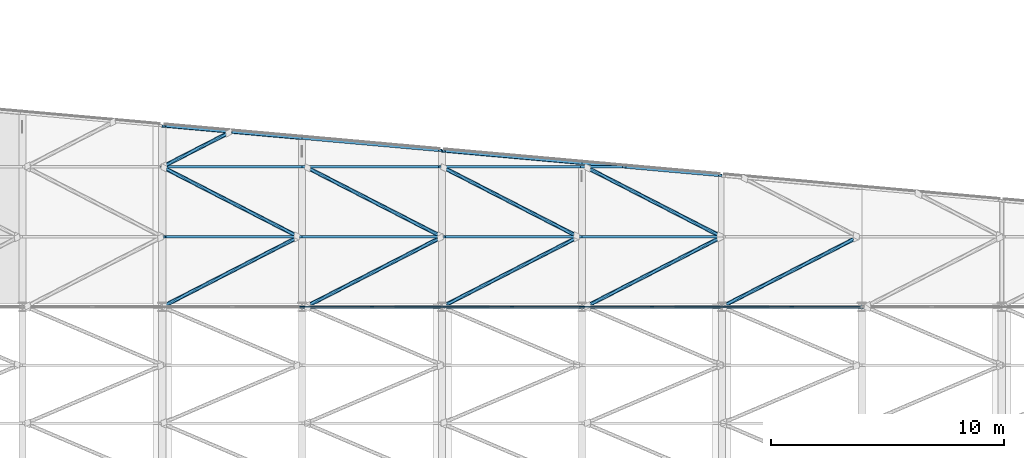
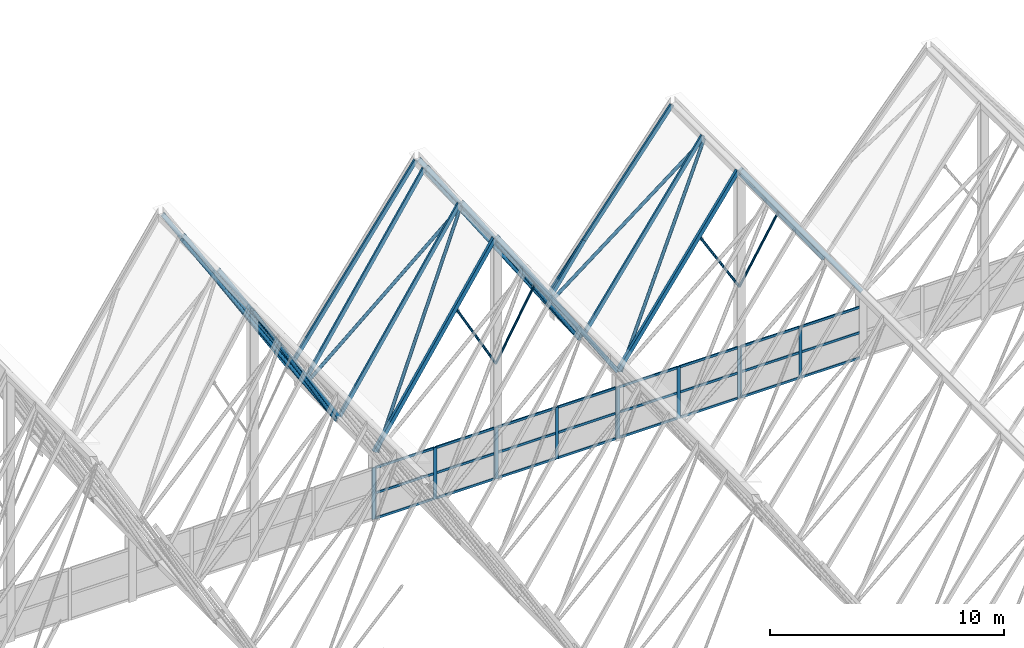
# One storey, part 23 of 483: 58 members, 8 beams, 5 elements without a shape of their own.
"""IFC4 building model written with IfcOpenShell, lengths in metres."""

from ifc_helpers import new_model, si_unit, direction, frame, origin, origin_2d, place, context, subcontext, project, spatial, rectangle, hollow_rectangle, hollow_circle, extrude, material, material_profile, profile_set, type_object, element, aggregate, save


model = new_model("IFC4")

# Units and contexts
model_context = context("Model", 3, precision=1e-05, world=origin(), true_north=direction((0.0, 1.0)))
body_context = subcontext(model_context, "Body", "Model", "MODEL_VIEW")
ifc_project = project(units=[si_unit("LENGTHUNIT", "METRE"), si_unit("AREAUNIT", "SQUARE_METRE"), si_unit("VOLUMEUNIT", "CUBIC_METRE"), si_unit("PLANEANGLEUNIT", "RADIAN"), si_unit("MASSUNIT", "GRAM", prefix="KILO")], contexts=[model_context])

# Site, building, storey
site_placement = place(None, origin())
site = spatial("IfcSite", under=ifc_project, at=site_placement, CompositionType="ELEMENT")
building_placement = place(site_placement, origin())
building = spatial("IfcBuilding", under=site, at=building_placement, Name="Parallax Yard Mobility Hub", CompositionType="ELEMENT")
storey_placement = place(building_placement, frame((0.0, 0.0, 13.199951171875)))
storey = spatial("IfcBuildingStorey", under=building, at=storey_placement, Name="L04", CompositionType="ELEMENT", Elevation=13.199951171875)

# Members
ifc_material_1 = material(Name="Steel ASTM A500 Gr C", Category="steel")
ifc_material_profile_1 = material_profile(ifc_material_1, hollow_circle(Radius=0.05712890625, WallThickness=0.006103515625, at=origin_2d()), Name="HSS114.3x6.0")
ifc_profile_set_1 = profile_set([ifc_material_profile_1], Name="Steel ASTM A500 Gr C")
member_type_1 = type_object("IfcMemberType", Name="Knee brace HSS114.3x6.0", PredefinedType="BRACE", material=ifc_profile_set_1)
for number, where, z_axis, x_axis, name in (
    (1, (51.0, 52.5, 6.0), (-0.484527681527, 0.0, 0.874775928929), (0.0, -1.0, 0.0), "Gable knee brace F8 north west"),
    (2, (51.0, 52.5, 6.0), (0.484527681527, 0.0, 0.874775928929), (0.0, 1.0, 0.0), "Gable knee brace F8 north east"),
):
    element("IfcMember", number, at=place(storey_placement, frame(where, z_axis=z_axis, x_axis=x_axis)), inside=storey, type_object=member_type_1, Name=name, PredefinedType="BRACE", context=body_context, shape_type="SweptSolid", body=[
        extrude(hollow_circle(Radius=0.05712890625, WallThickness=0.006103515625, at=origin_2d()), origin(), (0.0, 0.0, 1.0), 4.127685546875),
    ])
for number, where, z_axis, x_axis, name in (
    (3, (63.0, 52.5, 5.800048828125), (-0.511362041341, 0.0, 0.859365383685), (0.0, -1.0, 0.0), "Gable knee brace F10 north west"),
    (4, (63.0, 52.5, 5.800048828125), (0.511362041341, 0.0, 0.859365383685), (0.0, 1.0, 0.0), "Gable knee brace F10 north east"),
):
    element("IfcMember", number, at=place(storey_placement, frame(where, z_axis=z_axis, x_axis=x_axis)), inside=storey, type_object=member_type_1, Name=name, PredefinedType="BRACE", context=body_context, shape_type="SweptSolid", body=[
        extrude(hollow_circle(Radius=0.05712890625, WallThickness=0.006103515625, at=origin_2d()), origin(), (0.0, 0.0, 1.0), 3.9111328125),
    ])

# Curtain wall, member
ifc_material_2 = material(Name="Thermally broken aluminium curtain wall system", Category="aluminium")
curtain_wall_type = type_object("IfcCurtainWallType", Name="Curtain wall run 60 x 160 frame", PredefinedType="NOTDEFINED", material=ifc_material_2)
curtain_wall_1_placement = place(storey_placement, origin())
curtain_wall_1 = element("IfcCurtainWall", 5, at=curtain_wall_1_placement, inside=storey, type_object=curtain_wall_type, Name="Glazed gable end Bus and taxi deck north gable bay 6 level L04", PredefinedType="NOTDEFINED")
ifc_material_3 = material(Name="Extruded aluminium", Category="aluminium")
ifc_material_profile_2 = material_profile(ifc_material_3, rectangle(XDim=0.06005859375, YDim=0.159912109375, at=origin_2d()), Name="Mullion 60 x 160")
ifc_profile_set_2 = profile_set([ifc_material_profile_2], Name="Extruded aluminium")
member_type_2 = type_object("IfcMemberType", Name="Mullion 60 x 160", PredefinedType="MULLION", material=ifc_profile_set_2)
member_1_placement = place(storey_placement, frame((44.969970703125, 52.5, 0.0), z_axis=(0.0, 0.0, 1.0), x_axis=(0.0, 1.0, 0.0)))
member_1 = element("IfcMember", 6, at=member_1_placement, type_object=member_type_2, Name="CW1 mullion 3", PredefinedType="MULLION", context=body_context, shape_type="SweptSolid", body=[
    extrude(rectangle(XDim=0.06005859375, YDim=0.159912109375, at=origin_2d()), origin(), (0.0, 0.0, 1.0), 2.68994140625),
])
aggregate(curtain_wall_1, [member_1])

# Curtain wall, members
curtain_wall_2_placement = place(storey_placement, origin())
curtain_wall_2 = element("IfcCurtainWall", 7, at=curtain_wall_2_placement, inside=storey, type_object=curtain_wall_type, Name="Glazed gable end Bus and taxi deck north gable bay 7 level L04", PredefinedType="NOTDEFINED")
member_2_placement = place(storey_placement, frame((45.030029296875, 52.5, 0.0), z_axis=(0.0, 0.0, 1.0), x_axis=(0.0, 1.0, 0.0)))
member_2 = element("IfcMember", 8, at=member_2_placement, type_object=member_type_2, Name="CW1 mullion 1", PredefinedType="MULLION", context=body_context, shape_type="SweptSolid", body=[
    extrude(rectangle(XDim=0.06005859375, YDim=0.159912109375, at=origin_2d()), origin(), (0.0, 0.0, 1.0), 2.68994140625),
])
member_3_placement = place(storey_placement, frame((48.0, 52.5, 0.0), z_axis=(0.0, 0.0, 1.0), x_axis=(0.0, 1.0, 0.0)))
member_3 = element("IfcMember", 9, at=member_3_placement, type_object=member_type_2, Name="CW1 mullion 2", PredefinedType="MULLION", context=body_context, shape_type="SweptSolid", body=[
    extrude(rectangle(XDim=0.06005859375, YDim=0.159912109375, at=origin_2d()), origin(), (0.0, 0.0, 1.0), 2.68994140625),
])
member_4_placement = place(storey_placement, frame((50.969970703125, 52.5, 0.0), z_axis=(0.0, 0.0, 1.0), x_axis=(0.0, 1.0, 0.0)))
member_4 = element("IfcMember", 10, at=member_4_placement, type_object=member_type_2, Name="CW1 mullion 3", PredefinedType="MULLION", context=body_context, shape_type="SweptSolid", body=[
    extrude(rectangle(XDim=0.06005859375, YDim=0.159912109375, at=origin_2d()), origin(), (0.0, 0.0, 1.0), 2.68994140625),
])

curtain_wall_3_placement = place(storey_placement, origin())
curtain_wall_3 = element("IfcCurtainWall", 11, at=curtain_wall_3_placement, inside=storey, type_object=curtain_wall_type, Name="Glazed gable end Bus and taxi deck north gable bay 8 level L04", PredefinedType="NOTDEFINED")
member_5_placement = place(storey_placement, frame((51.030029296875, 52.5, 0.0), z_axis=(0.0, 0.0, 1.0), x_axis=(0.0, 1.0, 0.0)))
member_5 = element("IfcMember", 12, at=member_5_placement, type_object=member_type_2, Name="CW1 mullion 1", PredefinedType="MULLION", context=body_context, shape_type="SweptSolid", body=[
    extrude(rectangle(XDim=0.06005859375, YDim=0.159912109375, at=origin_2d()), origin(), (0.0, 0.0, 1.0), 2.68994140625),
])
member_6_placement = place(storey_placement, frame((54.0, 52.5, 0.0), z_axis=(0.0, 0.0, 1.0), x_axis=(0.0, 1.0, 0.0)))
member_6 = element("IfcMember", 13, at=member_6_placement, type_object=member_type_2, Name="CW1 mullion 2", PredefinedType="MULLION", context=body_context, shape_type="SweptSolid", body=[
    extrude(rectangle(XDim=0.06005859375, YDim=0.159912109375, at=origin_2d()), origin(), (0.0, 0.0, 1.0), 2.68994140625),
])
member_7_placement = place(storey_placement, frame((56.969970703125, 52.5, 0.0), z_axis=(0.0, 0.0, 1.0), x_axis=(0.0, 1.0, 0.0)))
member_7 = element("IfcMember", 14, at=member_7_placement, type_object=member_type_2, Name="CW1 mullion 3", PredefinedType="MULLION", context=body_context, shape_type="SweptSolid", body=[
    extrude(rectangle(XDim=0.06005859375, YDim=0.159912109375, at=origin_2d()), origin(), (0.0, 0.0, 1.0), 2.68994140625),
])

curtain_wall_4_placement = place(storey_placement, origin())
curtain_wall_4 = element("IfcCurtainWall", 15, at=curtain_wall_4_placement, inside=storey, type_object=curtain_wall_type, Name="Glazed gable end Bus and taxi deck north gable bay 9 level L04", PredefinedType="NOTDEFINED")
member_8_placement = place(storey_placement, frame((57.030029296875, 52.5, 0.0), z_axis=(0.0, 0.0, 1.0), x_axis=(0.0, 1.0, 0.0)))
member_8 = element("IfcMember", 16, at=member_8_placement, type_object=member_type_2, Name="CW1 mullion 1", PredefinedType="MULLION", context=body_context, shape_type="SweptSolid", body=[
    extrude(rectangle(XDim=0.06005859375, YDim=0.159912109375, at=origin_2d()), origin(), (0.0, 0.0, 1.0), 2.68994140625),
])
member_9_placement = place(storey_placement, frame((60.0, 52.5, 0.0), z_axis=(0.0, 0.0, 1.0), x_axis=(0.0, 1.0, 0.0)))
member_9 = element("IfcMember", 17, at=member_9_placement, type_object=member_type_2, Name="CW1 mullion 2", PredefinedType="MULLION", context=body_context, shape_type="SweptSolid", body=[
    extrude(rectangle(XDim=0.06005859375, YDim=0.159912109375, at=origin_2d()), origin(), (0.0, 0.0, 1.0), 2.68994140625),
])
member_10_placement = place(storey_placement, frame((62.969970703125, 52.5, 0.0), z_axis=(0.0, 0.0, 1.0), x_axis=(0.0, 1.0, 0.0)))
member_10 = element("IfcMember", 18, at=member_10_placement, type_object=member_type_2, Name="CW1 mullion 3", PredefinedType="MULLION", context=body_context, shape_type="SweptSolid", body=[
    extrude(rectangle(XDim=0.06005859375, YDim=0.159912109375, at=origin_2d()), origin(), (0.0, 0.0, 1.0), 2.68994140625),
])

curtain_wall_5_placement = place(storey_placement, origin())
curtain_wall_5 = element("IfcCurtainWall", 19, at=curtain_wall_5_placement, inside=storey, type_object=curtain_wall_type, Name="Glazed gable end Bus and taxi deck north gable bay 10 level L04", PredefinedType="NOTDEFINED")
member_11_placement = place(storey_placement, frame((63.030029296875, 52.5, 0.0), z_axis=(0.0, 0.0, 1.0), x_axis=(0.0, 1.0, 0.0)))
member_11 = element("IfcMember", 20, at=member_11_placement, type_object=member_type_2, Name="CW1 mullion 1", PredefinedType="MULLION", context=body_context, shape_type="SweptSolid", body=[
    extrude(rectangle(XDim=0.06005859375, YDim=0.159912109375, at=origin_2d()), origin(), (0.0, 0.0, 1.0), 2.68994140625),
])
member_12_placement = place(storey_placement, frame((66.0, 52.5, 0.0), z_axis=(0.0, 0.0, 1.0), x_axis=(0.0, 1.0, 0.0)))
member_12 = element("IfcMember", 21, at=member_12_placement, type_object=member_type_2, Name="CW1 mullion 2", PredefinedType="MULLION", context=body_context, shape_type="SweptSolid", body=[
    extrude(rectangle(XDim=0.06005859375, YDim=0.159912109375, at=origin_2d()), origin(), (0.0, 0.0, 1.0), 2.68994140625),
])

# Members
ifc_material_profile_3 = material_profile(ifc_material_1, hollow_circle(Radius=0.084228515625, WallThickness=0.007080078125, at=origin_2d()), Name="HSS168.3x7.1")
ifc_profile_set_3 = profile_set([ifc_material_profile_3], Name="Steel ASTM A500 Gr C")
member_type_3 = type_object("IfcMemberType", Name="Plate diagonal HSS168.3x7.1", PredefinedType="BRACE", material=ifc_profile_set_3)
member_13_placement = place(storey_placement, frame((63.0, 52.5, 11.6982421875), z_axis=(0.552869408037, 0.283636409734, -0.783508650067), x_axis=(-0.456461439155, 0.889743195852, 0.0)))
element("IfcMember", 22, at=member_13_placement, inside=storey, type_object=member_type_3, Name="Plate diagonal plate F10-F11 bay 19", PredefinedType="BRACE", context=body_context, shape_type="SweptSolid", body=[
    extrude(hollow_circle(Radius=0.084228515625, WallThickness=0.007080078125, at=origin_2d()), origin(), (0.0, 0.0, 1.0), 10.576904296875),
])
member_14_placement = place(storey_placement, frame((39.0, 52.5, 13.01513671875), z_axis=(0.502552436924, 0.25782249269, -0.825208222454), x_axis=(-0.456461439155, 0.889743195852, 0.0)))
element("IfcMember", 23, at=member_14_placement, inside=storey, type_object=member_type_3, Name="Plate diagonal plate F6-F7 bay 19", PredefinedType="BRACE", context=body_context, shape_type="SweptSolid", body=[
    extrude(hollow_circle(Radius=0.084228515625, WallThickness=0.007080078125, at=origin_2d()), origin(), (0.0, 0.0, 1.0), 11.635986328125),
])
for number, where, z_axis, x_axis, name in (
    (24, (45.15234375, 52.5, 3.412353515625), (0.526835983295, 0.270280584616, 0.805848777554), (-0.456461439155, 0.889743195852, 0.0), "Plate diagonal plate F7-F8 bay 19"),
    (25, (51.0, 52.5, 12.35693359375), (0.526835983295, 0.270280584616, -0.805848777554), (-0.456461439155, 0.889743195852, 0.0), "Plate diagonal plate F8-F9 bay 19"),
):
    element("IfcMember", number, at=place(storey_placement, frame(where, z_axis=z_axis, x_axis=x_axis)), inside=storey, type_object=member_type_3, Name=name, PredefinedType="BRACE", context=body_context, shape_type="SweptSolid", body=[
        extrude(hollow_circle(Radius=0.084228515625, WallThickness=0.007080078125, at=origin_2d()), origin(), (0.0, 0.0, 1.0), 11.099609375),
    ])
member_15_placement = place(storey_placement, frame((57.15234375, 52.5, 3.4111328125), z_axis=(0.552869408037, 0.283636409734, 0.783508650067), x_axis=(-0.456461439155, 0.889743195852, 0.0)))
element("IfcMember", 26, at=member_15_placement, inside=storey, type_object=member_type_3, Name="Plate diagonal plate F9-F10 bay 19", PredefinedType="BRACE", context=body_context, shape_type="SweptSolid", body=[
    extrude(hollow_circle(Radius=0.084228515625, WallThickness=0.007080078125, at=origin_2d()), origin(), (0.0, 0.0, 1.0), 10.576904296875),
])
member_16_placement = place(storey_placement, frame((44.84765625, 55.5, 3.4130859375), z_axis=(-0.502552436924, 0.25782249269, 0.825208222454), x_axis=(-0.456461439155, -0.889743195852, 0.0)))
element("IfcMember", 27, at=member_16_placement, inside=storey, type_object=member_type_3, Name="Plate diagonal plate F6-F7 bay 20", PredefinedType="BRACE", context=body_context, shape_type="SweptSolid", body=[
    extrude(hollow_circle(Radius=0.084228515625, WallThickness=0.007080078125, at=origin_2d()), origin(), (0.0, 0.0, 1.0), 11.635986328125),
])
for number, where, z_axis, x_axis, name in (
    (28, (51.0, 55.5, 12.35693359375), (-0.526835983295, 0.270280584616, -0.805848777554), (-0.456461439155, -0.889743195852, 0.0), "Plate diagonal plate F7-F8 bay 20"),
    (29, (56.84765625, 55.5, 3.412353515625), (-0.526835983295, 0.270280584616, 0.805848777554), (-0.456461439155, -0.889743195852, 0.0), "Plate diagonal plate F8-F9 bay 20"),
):
    element("IfcMember", number, at=place(storey_placement, frame(where, z_axis=z_axis, x_axis=x_axis)), inside=storey, type_object=member_type_3, Name=name, PredefinedType="BRACE", context=body_context, shape_type="SweptSolid", body=[
        extrude(hollow_circle(Radius=0.084228515625, WallThickness=0.007080078125, at=origin_2d()), origin(), (0.0, 0.0, 1.0), 11.099609375),
    ])
member_17_placement = place(storey_placement, frame((63.0, 55.5, 11.6982421875), z_axis=(-0.552869408037, 0.283636409734, -0.783508650067), x_axis=(-0.456461439155, -0.889743195852, 0.0)))
element("IfcMember", 30, at=member_17_placement, inside=storey, type_object=member_type_3, Name="Plate diagonal plate F9-F10 bay 20", PredefinedType="BRACE", context=body_context, shape_type="SweptSolid", body=[
    extrude(hollow_circle(Radius=0.084228515625, WallThickness=0.007080078125, at=origin_2d()), origin(), (0.0, 0.0, 1.0), 10.576904296875),
])
member_18_placement = place(storey_placement, frame((39.0, 58.5, 13.01513671875), z_axis=(0.526883938303, 0.270304040814, -0.805809556334), x_axis=(-0.456459907175, 0.889743981796, 0.0)))
element("IfcMember", 31, at=member_18_placement, inside=storey, type_object=member_type_3, Name="Plate diagonal plate F6-F7 bay 21", PredefinedType="BRACE", context=body_context, shape_type="SweptSolid", body=[
    extrude(hollow_circle(Radius=0.084228515625, WallThickness=0.007080078125, at=origin_2d()), origin(), (0.0, 0.0, 1.0), 5.55029296875),
])

# Beams
ifc_material_profile_4 = material_profile(ifc_material_1, hollow_rectangle(XDim=0.1015625, YDim=0.203125, WallThickness=0.00634765625, at=origin_2d()), Name="HSS203x102x6.4")
ifc_profile_set_4 = profile_set([ifc_material_profile_4], Name="Steel ASTM A500 Gr C")
beam_type_1 = type_object("IfcBeamType", Name="Roof edge beam HSS203x102x6.4", PredefinedType="SPANDREL", material=ifc_profile_set_4)
beam_1_placement = place(storey_placement, frame((39.065673828125, 60.247802734375, 13.237060546875), z_axis=(0.519564036613, -0.04638734942, -0.853171392905), x_axis=(0.024124733648, 0.998923527506, -0.039620492434)))
element("IfcBeam", 32, at=beam_1_placement, inside=storey, type_object=beam_type_1, Name="Edge beam plate F6-F7 north prow edge", PredefinedType="SPANDREL", context=body_context, shape_type="SweptSolid", body=[
    extrude(hollow_rectangle(XDim=0.1015625, YDim=0.203125, WallThickness=0.00634765625, at=origin_2d()), origin(), (0.0, 0.0, 1.0), 11.389404296875),
])
for number, where, z_axis, x_axis, name in (
    (33, (45.014892578125, 59.73193359375, 3.515380859375), (0.546550108322, -0.048794687669, 0.836003622928), (0.026695242137, 0.998808829764, 0.040844652429), "Edge beam plate F7-F8 north prow edge"),
    (34, (51.0673828125, 59.176513671875, 12.567138671875), (0.546549506847, -0.048817182323, -0.836002702911), (0.02673619102, 0.998807730214, -0.040844756764), "Edge beam plate F8-F9 north prow edge"),
):
    element("IfcBeam", number, at=place(storey_placement, frame(where, z_axis=z_axis, x_axis=x_axis)), inside=storey, type_object=beam_type_1, Name=name, PredefinedType="SPANDREL", context=body_context, shape_type="SweptSolid", body=[
        extrude(hollow_rectangle(XDim=0.1015625, YDim=0.203125, WallThickness=0.00634765625, at=origin_2d()), origin(), (0.0, 0.0, 1.0), 10.827392578125),
    ])
beam_2_placement = place(storey_placement, frame((57.012939453125, 58.660400390625, 3.5107421875), z_axis=(0.575770646573, -0.0514034275, 0.815993780728), x_axis=(0.029630566892, 0.998677969919, 0.042004070098)))
element("IfcBeam", 35, at=beam_2_placement, inside=storey, type_object=beam_type_1, Name="Edge beam plate F9-F10 north prow edge", PredefinedType="SPANDREL", context=body_context, shape_type="SweptSolid", body=[
    extrude(hollow_rectangle(XDim=0.1015625, YDim=0.203125, WallThickness=0.00634765625, at=origin_2d()), origin(), (0.0, 0.0, 1.0), 10.27783203125),
])
ifc_material_profile_5 = material_profile(ifc_material_1, hollow_rectangle(XDim=0.15234375, YDim=0.203125, WallThickness=0.009521484375, at=origin_2d()), Name="HSS203x152x9.5")
ifc_profile_set_5 = profile_set([ifc_material_profile_5], Name="Steel ASTM A500 Gr C")
beam_type_2 = type_object("IfcBeamType", Name="Roof edge beam HSS203x152x9.5", PredefinedType="SPANDREL", material=ifc_profile_set_5)
beam_3_placement = place(storey_placement, frame((63.0693359375, 52.5, 11.8974609375), z_axis=(0.576532840319, 0.0, -0.817073977088), x_axis=(0.0, 1.0, 0.0)))
element("IfcBeam", 36, at=beam_3_placement, inside=storey, type_object=beam_type_2, Name="Edge beam plate F10-F11 north gable", PredefinedType="SPANDREL", context=body_context, shape_type="SweptSolid", body=[
    extrude(hollow_rectangle(XDim=0.15234375, YDim=0.203125, WallThickness=0.009521484375, at=origin_2d()), origin(), (0.0, 0.0, 1.0), 10.264404296875),
])
for number, where, z_axis, x_axis, name in (
    (37, (45.014892578125, 52.5, 3.515380859375), (0.54720191895, 0.0, 0.837000633152), (0.0, 1.0, 0.0), "Edge beam plate F7-F8 north gable"),
    (38, (51.0673828125, 52.5, 12.567138671875), (0.54720191895, 0.0, -0.837000633152), (0.0, 1.0, 0.0), "Edge beam plate F8-F9 north gable"),
):
    element("IfcBeam", number, at=place(storey_placement, frame(where, z_axis=z_axis, x_axis=x_axis)), inside=storey, type_object=beam_type_2, Name=name, PredefinedType="SPANDREL", context=body_context, shape_type="SweptSolid", body=[
        extrude(hollow_rectangle(XDim=0.15234375, YDim=0.203125, WallThickness=0.009521484375, at=origin_2d()), origin(), (0.0, 0.0, 1.0), 10.814453125),
    ])
beam_4_placement = place(storey_placement, frame((57.012939453125, 52.5, 3.5107421875), z_axis=(0.576532840319, 0.0, 0.817073977088), x_axis=(0.0, 1.0, 0.0)))
element("IfcBeam", 39, at=beam_4_placement, inside=storey, type_object=beam_type_2, Name="Edge beam plate F9-F10 north gable", PredefinedType="SPANDREL", context=body_context, shape_type="SweptSolid", body=[
    extrude(hollow_rectangle(XDim=0.15234375, YDim=0.203125, WallThickness=0.009521484375, at=origin_2d()), origin(), (0.0, 0.0, 1.0), 10.264404296875),
])

# Members
ifc_material_profile_6 = material_profile(ifc_material_1, hollow_rectangle(XDim=0.1015625, YDim=0.203125, WallThickness=0.00634765625, at=origin_2d()), Name="HSS203x102x6.4")
ifc_profile_set_6 = profile_set([ifc_material_profile_6], Name="Steel ASTM A500 Gr C")
member_type_4 = type_object("IfcMemberType", Name="Roof rafter HSS203x102x6.4", PredefinedType="RAFTER", material=ifc_profile_set_6)
member_19_placement = place(storey_placement, frame((39.065673828125, 55.5, 13.237060546875), z_axis=(0.520123935721, 0.0, -0.854090798153), x_axis=(0.0, 1.0, 0.0)))
element("IfcMember", 40, at=member_19_placement, inside=storey, type_object=member_type_4, Name="Roof rafter plate F6-F7 at y 55.5", PredefinedType="RAFTER", context=body_context, shape_type="SweptSolid", body=[
    extrude(hollow_rectangle(XDim=0.1015625, YDim=0.203125, WallThickness=0.00634765625, at=origin_2d()), origin(), (0.0, 0.0, 1.0), 11.376953125),
])
for number, where, z_axis, x_axis, name in (
    (41, (45.014892578125, 55.5, 3.515380859375), (0.54720191895, 0.0, 0.837000633152), (0.0, 1.0, 0.0), "Roof rafter plate F7-F8 at y 55.5"),
    (42, (51.0673828125, 55.5, 12.567138671875), (0.54720191895, 0.0, -0.837000633152), (0.0, 1.0, 0.0), "Roof rafter plate F8-F9 at y 55.5"),
):
    element("IfcMember", number, at=place(storey_placement, frame(where, z_axis=z_axis, x_axis=x_axis)), inside=storey, type_object=member_type_4, Name=name, PredefinedType="RAFTER", context=body_context, shape_type="SweptSolid", body=[
        extrude(hollow_rectangle(XDim=0.1015625, YDim=0.203125, WallThickness=0.00634765625, at=origin_2d()), origin(), (0.0, 0.0, 1.0), 10.814453125),
    ])
member_20_placement = place(storey_placement, frame((57.012939453125, 55.5, 3.5107421875), z_axis=(0.576532840319, 0.0, 0.817073977088), x_axis=(0.0, 1.0, 0.0)))
element("IfcMember", 43, at=member_20_placement, inside=storey, type_object=member_type_4, Name="Roof rafter plate F9-F10 at y 55.5", PredefinedType="RAFTER", context=body_context, shape_type="SweptSolid", body=[
    extrude(hollow_rectangle(XDim=0.1015625, YDim=0.203125, WallThickness=0.00634765625, at=origin_2d()), origin(), (0.0, 0.0, 1.0), 10.264404296875),
])
member_21_placement = place(storey_placement, frame((39.065673828125, 58.5, 13.237060546875), z_axis=(0.520123935721, 0.0, -0.854090798153), x_axis=(0.0, 1.0, 0.0)))
element("IfcMember", 44, at=member_21_placement, inside=storey, type_object=member_type_4, Name="Roof rafter plate F6-F7 at y 58.5", PredefinedType="RAFTER", context=body_context, shape_type="SweptSolid", body=[
    extrude(hollow_rectangle(XDim=0.1015625, YDim=0.203125, WallThickness=0.00634765625, at=origin_2d()), origin(), (0.0, 0.0, 1.0), 11.376953125),
])
for number, where, z_axis, x_axis, name in (
    (45, (45.014892578125, 58.5, 3.515380859375), (0.54720191895, 0.0, 0.837000633152), (0.0, 1.0, 0.0), "Roof rafter plate F7-F8 at y 58.5"),
    (46, (51.0673828125, 58.5, 12.567138671875), (0.54720191895, 0.0, -0.837000633152), (0.0, 1.0, 0.0), "Roof rafter plate F8-F9 at y 58.5"),
):
    element("IfcMember", number, at=place(storey_placement, frame(where, z_axis=z_axis, x_axis=x_axis)), inside=storey, type_object=member_type_4, Name=name, PredefinedType="RAFTER", context=body_context, shape_type="SweptSolid", body=[
        extrude(hollow_rectangle(XDim=0.1015625, YDim=0.203125, WallThickness=0.00634765625, at=origin_2d()), origin(), (0.0, 0.0, 1.0), 10.814453125),
    ])
member_22_placement = place(storey_placement, frame((57.012939453125, 58.5, 3.5107421875), z_axis=(0.576526447764, 0.0, 0.81707848768), x_axis=(0.0, 1.0, 0.0)))
element("IfcMember", 47, at=member_22_placement, inside=storey, type_object=member_type_4, Name="Roof rafter plate F9-F10 at y 58.5", PredefinedType="RAFTER", context=body_context, shape_type="SweptSolid", body=[
    extrude(hollow_rectangle(XDim=0.1015625, YDim=0.203125, WallThickness=0.00634765625, at=origin_2d()), origin(), (0.0, 0.0, 1.0), 3.118896484375),
])

# Member
ifc_material_profile_7 = material_profile(ifc_material_3, rectangle(XDim=0.06005859375, YDim=0.1201171875, at=origin_2d()), Name="Transom 60 x 120")
ifc_profile_set_7 = profile_set([ifc_material_profile_7], Name="Extruded aluminium")
member_type_5 = type_object("IfcMemberType", Name="Transom 60 x 120", PredefinedType="USERDEFINED", material=ifc_profile_set_7)
member_23_placement = place(storey_placement, frame((45.06005859375, 52.5, 0.030029296875), z_axis=(1.0, 0.0, 0.0), x_axis=(0.0, 1.0, 0.0)))
member_23 = element("IfcMember", 48, at=member_23_placement, type_object=member_type_5, Name="CW1 transom 1.1", ObjectType="TRANSOM", PredefinedType="USERDEFINED", context=body_context, shape_type="SweptSolid", body=[
    extrude(rectangle(XDim=0.06005859375, YDim=0.1201171875, at=origin_2d()), origin(), (0.0, 0.0, 1.0), 2.909912109375),
])

member_24_placement = place(storey_placement, frame((45.06005859375, 52.5, 1.344970703125), z_axis=(1.0, 0.0, 0.0), x_axis=(0.0, 1.0, 0.0)))
member_24 = element("IfcMember", 49, at=member_24_placement, type_object=member_type_5, Name="CW1 transom 1.2", ObjectType="TRANSOM", PredefinedType="USERDEFINED", context=body_context, shape_type="SweptSolid", body=[
    extrude(rectangle(XDim=0.06005859375, YDim=0.1201171875, at=origin_2d()), origin(), (0.0, 0.0, 1.0), 2.909912109375),
])

member_25_placement = place(storey_placement, frame((45.06005859375, 52.5, 2.66015625), z_axis=(1.0, 0.0, 0.0), x_axis=(0.0, 1.0, 0.0)))
member_25 = element("IfcMember", 50, at=member_25_placement, type_object=member_type_5, Name="CW1 transom 1.3", ObjectType="TRANSOM", PredefinedType="USERDEFINED", context=body_context, shape_type="SweptSolid", body=[
    extrude(rectangle(XDim=0.06005859375, YDim=0.1201171875, at=origin_2d()), origin(), (0.0, 0.0, 1.0), 2.909912109375),
])

member_26_placement = place(storey_placement, frame((48.030029296875, 52.5, 0.030029296875), z_axis=(1.0, 0.0, 0.0), x_axis=(0.0, 1.0, 0.0)))
member_26 = element("IfcMember", 51, at=member_26_placement, type_object=member_type_5, Name="CW1 transom 2.1", ObjectType="TRANSOM", PredefinedType="USERDEFINED", context=body_context, shape_type="SweptSolid", body=[
    extrude(rectangle(XDim=0.06005859375, YDim=0.1201171875, at=origin_2d()), origin(), (0.0, 0.0, 1.0), 2.909912109375),
])

member_27_placement = place(storey_placement, frame((48.030029296875, 52.5, 1.344970703125), z_axis=(1.0, 0.0, 0.0), x_axis=(0.0, 1.0, 0.0)))
member_27 = element("IfcMember", 52, at=member_27_placement, type_object=member_type_5, Name="CW1 transom 2.2", ObjectType="TRANSOM", PredefinedType="USERDEFINED", context=body_context, shape_type="SweptSolid", body=[
    extrude(rectangle(XDim=0.06005859375, YDim=0.1201171875, at=origin_2d()), origin(), (0.0, 0.0, 1.0), 2.909912109375),
])

member_28_placement = place(storey_placement, frame((48.030029296875, 52.5, 2.66015625), z_axis=(1.0, 0.0, 0.0), x_axis=(0.0, 1.0, 0.0)))
member_28 = element("IfcMember", 53, at=member_28_placement, type_object=member_type_5, Name="CW1 transom 2.3", ObjectType="TRANSOM", PredefinedType="USERDEFINED", context=body_context, shape_type="SweptSolid", body=[
    extrude(rectangle(XDim=0.06005859375, YDim=0.1201171875, at=origin_2d()), origin(), (0.0, 0.0, 1.0), 2.909912109375),
])

aggregate(curtain_wall_2, [member_2, member_3, member_4, member_23, member_24, member_25, member_26, member_27, member_28])

member_29_placement = place(storey_placement, frame((51.06005859375, 52.5, 0.030029296875), z_axis=(1.0, 0.0, 0.0), x_axis=(0.0, 1.0, 0.0)))
member_29 = element("IfcMember", 54, at=member_29_placement, type_object=member_type_5, Name="CW1 transom 1.1", ObjectType="TRANSOM", PredefinedType="USERDEFINED", context=body_context, shape_type="SweptSolid", body=[
    extrude(rectangle(XDim=0.06005859375, YDim=0.1201171875, at=origin_2d()), origin(), (0.0, 0.0, 1.0), 2.909912109375),
])

member_30_placement = place(storey_placement, frame((51.06005859375, 52.5, 1.344970703125), z_axis=(1.0, 0.0, 0.0), x_axis=(0.0, 1.0, 0.0)))
member_30 = element("IfcMember", 55, at=member_30_placement, type_object=member_type_5, Name="CW1 transom 1.2", ObjectType="TRANSOM", PredefinedType="USERDEFINED", context=body_context, shape_type="SweptSolid", body=[
    extrude(rectangle(XDim=0.06005859375, YDim=0.1201171875, at=origin_2d()), origin(), (0.0, 0.0, 1.0), 2.909912109375),
])

member_31_placement = place(storey_placement, frame((51.06005859375, 52.5, 2.66015625), z_axis=(1.0, 0.0, 0.0), x_axis=(0.0, 1.0, 0.0)))
member_31 = element("IfcMember", 56, at=member_31_placement, type_object=member_type_5, Name="CW1 transom 1.3", ObjectType="TRANSOM", PredefinedType="USERDEFINED", context=body_context, shape_type="SweptSolid", body=[
    extrude(rectangle(XDim=0.06005859375, YDim=0.1201171875, at=origin_2d()), origin(), (0.0, 0.0, 1.0), 2.909912109375),
])

member_32_placement = place(storey_placement, frame((54.030029296875, 52.5, 0.030029296875), z_axis=(1.0, 0.0, 0.0), x_axis=(0.0, 1.0, 0.0)))
member_32 = element("IfcMember", 57, at=member_32_placement, type_object=member_type_5, Name="CW1 transom 2.1", ObjectType="TRANSOM", PredefinedType="USERDEFINED", context=body_context, shape_type="SweptSolid", body=[
    extrude(rectangle(XDim=0.06005859375, YDim=0.1201171875, at=origin_2d()), origin(), (0.0, 0.0, 1.0), 2.909912109375),
])

member_33_placement = place(storey_placement, frame((54.030029296875, 52.5, 1.344970703125), z_axis=(1.0, 0.0, 0.0), x_axis=(0.0, 1.0, 0.0)))
member_33 = element("IfcMember", 58, at=member_33_placement, type_object=member_type_5, Name="CW1 transom 2.2", ObjectType="TRANSOM", PredefinedType="USERDEFINED", context=body_context, shape_type="SweptSolid", body=[
    extrude(rectangle(XDim=0.06005859375, YDim=0.1201171875, at=origin_2d()), origin(), (0.0, 0.0, 1.0), 2.909912109375),
])

member_34_placement = place(storey_placement, frame((54.030029296875, 52.5, 2.66015625), z_axis=(1.0, 0.0, 0.0), x_axis=(0.0, 1.0, 0.0)))
member_34 = element("IfcMember", 59, at=member_34_placement, type_object=member_type_5, Name="CW1 transom 2.3", ObjectType="TRANSOM", PredefinedType="USERDEFINED", context=body_context, shape_type="SweptSolid", body=[
    extrude(rectangle(XDim=0.06005859375, YDim=0.1201171875, at=origin_2d()), origin(), (0.0, 0.0, 1.0), 2.909912109375),
])

aggregate(curtain_wall_3, [member_5, member_6, member_7, member_29, member_30, member_31, member_32, member_33, member_34])

member_35_placement = place(storey_placement, frame((57.06005859375, 52.5, 0.030029296875), z_axis=(1.0, 0.0, 0.0), x_axis=(0.0, 1.0, 0.0)))
member_35 = element("IfcMember", 60, at=member_35_placement, type_object=member_type_5, Name="CW1 transom 1.1", ObjectType="TRANSOM", PredefinedType="USERDEFINED", context=body_context, shape_type="SweptSolid", body=[
    extrude(rectangle(XDim=0.06005859375, YDim=0.1201171875, at=origin_2d()), origin(), (0.0, 0.0, 1.0), 2.909912109375),
])

member_36_placement = place(storey_placement, frame((57.06005859375, 52.5, 1.344970703125), z_axis=(1.0, 0.0, 0.0), x_axis=(0.0, 1.0, 0.0)))
member_36 = element("IfcMember", 61, at=member_36_placement, type_object=member_type_5, Name="CW1 transom 1.2", ObjectType="TRANSOM", PredefinedType="USERDEFINED", context=body_context, shape_type="SweptSolid", body=[
    extrude(rectangle(XDim=0.06005859375, YDim=0.1201171875, at=origin_2d()), origin(), (0.0, 0.0, 1.0), 2.909912109375),
])

member_37_placement = place(storey_placement, frame((57.06005859375, 52.5, 2.66015625), z_axis=(1.0, 0.0, 0.0), x_axis=(0.0, 1.0, 0.0)))
member_37 = element("IfcMember", 62, at=member_37_placement, type_object=member_type_5, Name="CW1 transom 1.3", ObjectType="TRANSOM", PredefinedType="USERDEFINED", context=body_context, shape_type="SweptSolid", body=[
    extrude(rectangle(XDim=0.06005859375, YDim=0.1201171875, at=origin_2d()), origin(), (0.0, 0.0, 1.0), 2.909912109375),
])

member_38_placement = place(storey_placement, frame((60.030029296875, 52.5, 0.030029296875), z_axis=(1.0, 0.0, 0.0), x_axis=(0.0, 1.0, 0.0)))
member_38 = element("IfcMember", 63, at=member_38_placement, type_object=member_type_5, Name="CW1 transom 2.1", ObjectType="TRANSOM", PredefinedType="USERDEFINED", context=body_context, shape_type="SweptSolid", body=[
    extrude(rectangle(XDim=0.06005859375, YDim=0.1201171875, at=origin_2d()), origin(), (0.0, 0.0, 1.0), 2.909912109375),
])

member_39_placement = place(storey_placement, frame((60.030029296875, 52.5, 1.344970703125), z_axis=(1.0, 0.0, 0.0), x_axis=(0.0, 1.0, 0.0)))
member_39 = element("IfcMember", 64, at=member_39_placement, type_object=member_type_5, Name="CW1 transom 2.2", ObjectType="TRANSOM", PredefinedType="USERDEFINED", context=body_context, shape_type="SweptSolid", body=[
    extrude(rectangle(XDim=0.06005859375, YDim=0.1201171875, at=origin_2d()), origin(), (0.0, 0.0, 1.0), 2.909912109375),
])

member_40_placement = place(storey_placement, frame((60.030029296875, 52.5, 2.66015625), z_axis=(1.0, 0.0, 0.0), x_axis=(0.0, 1.0, 0.0)))
member_40 = element("IfcMember", 65, at=member_40_placement, type_object=member_type_5, Name="CW1 transom 2.3", ObjectType="TRANSOM", PredefinedType="USERDEFINED", context=body_context, shape_type="SweptSolid", body=[
    extrude(rectangle(XDim=0.06005859375, YDim=0.1201171875, at=origin_2d()), origin(), (0.0, 0.0, 1.0), 2.909912109375),
])

aggregate(curtain_wall_4, [member_8, member_9, member_10, member_35, member_36, member_37, member_38, member_39, member_40])

member_41_placement = place(storey_placement, frame((63.06005859375, 52.5, 0.030029296875), z_axis=(1.0, 0.0, 0.0), x_axis=(0.0, 1.0, 0.0)))
member_41 = element("IfcMember", 66, at=member_41_placement, type_object=member_type_5, Name="CW1 transom 1.1", ObjectType="TRANSOM", PredefinedType="USERDEFINED", context=body_context, shape_type="SweptSolid", body=[
    extrude(rectangle(XDim=0.06005859375, YDim=0.1201171875, at=origin_2d()), origin(), (0.0, 0.0, 1.0), 2.909912109375),
])

member_42_placement = place(storey_placement, frame((63.06005859375, 52.5, 1.344970703125), z_axis=(1.0, 0.0, 0.0), x_axis=(0.0, 1.0, 0.0)))
member_42 = element("IfcMember", 67, at=member_42_placement, type_object=member_type_5, Name="CW1 transom 1.2", ObjectType="TRANSOM", PredefinedType="USERDEFINED", context=body_context, shape_type="SweptSolid", body=[
    extrude(rectangle(XDim=0.06005859375, YDim=0.1201171875, at=origin_2d()), origin(), (0.0, 0.0, 1.0), 2.909912109375),
])

member_43_placement = place(storey_placement, frame((63.06005859375, 52.5, 2.66015625), z_axis=(1.0, 0.0, 0.0), x_axis=(0.0, 1.0, 0.0)))
member_43 = element("IfcMember", 68, at=member_43_placement, type_object=member_type_5, Name="CW1 transom 1.3", ObjectType="TRANSOM", PredefinedType="USERDEFINED", context=body_context, shape_type="SweptSolid", body=[
    extrude(rectangle(XDim=0.06005859375, YDim=0.1201171875, at=origin_2d()), origin(), (0.0, 0.0, 1.0), 2.909912109375),
])

member_44_placement = place(storey_placement, frame((66.030029296875, 52.5, 0.030029296875), z_axis=(1.0, 0.0, 0.0), x_axis=(0.0, 1.0, 0.0)))
member_44 = element("IfcMember", 69, at=member_44_placement, type_object=member_type_5, Name="CW1 transom 2.1", ObjectType="TRANSOM", PredefinedType="USERDEFINED", context=body_context, shape_type="SweptSolid", body=[
    extrude(rectangle(XDim=0.06005859375, YDim=0.1201171875, at=origin_2d()), origin(), (0.0, 0.0, 1.0), 2.909912109375),
])

member_45_placement = place(storey_placement, frame((66.030029296875, 52.5, 1.344970703125), z_axis=(1.0, 0.0, 0.0), x_axis=(0.0, 1.0, 0.0)))
member_45 = element("IfcMember", 70, at=member_45_placement, type_object=member_type_5, Name="CW1 transom 2.2", ObjectType="TRANSOM", PredefinedType="USERDEFINED", context=body_context, shape_type="SweptSolid", body=[
    extrude(rectangle(XDim=0.06005859375, YDim=0.1201171875, at=origin_2d()), origin(), (0.0, 0.0, 1.0), 2.909912109375),
])

member_46_placement = place(storey_placement, frame((66.030029296875, 52.5, 2.66015625), z_axis=(1.0, 0.0, 0.0), x_axis=(0.0, 1.0, 0.0)))
member_46 = element("IfcMember", 71, at=member_46_placement, type_object=member_type_5, Name="CW1 transom 2.3", ObjectType="TRANSOM", PredefinedType="USERDEFINED", context=body_context, shape_type="SweptSolid", body=[
    extrude(rectangle(XDim=0.06005859375, YDim=0.1201171875, at=origin_2d()), origin(), (0.0, 0.0, 1.0), 2.909912109375),
])

aggregate(curtain_wall_5, [member_11, member_12, member_41, member_42, member_43, member_44, member_45, member_46])

save(model, "model.ifc")
